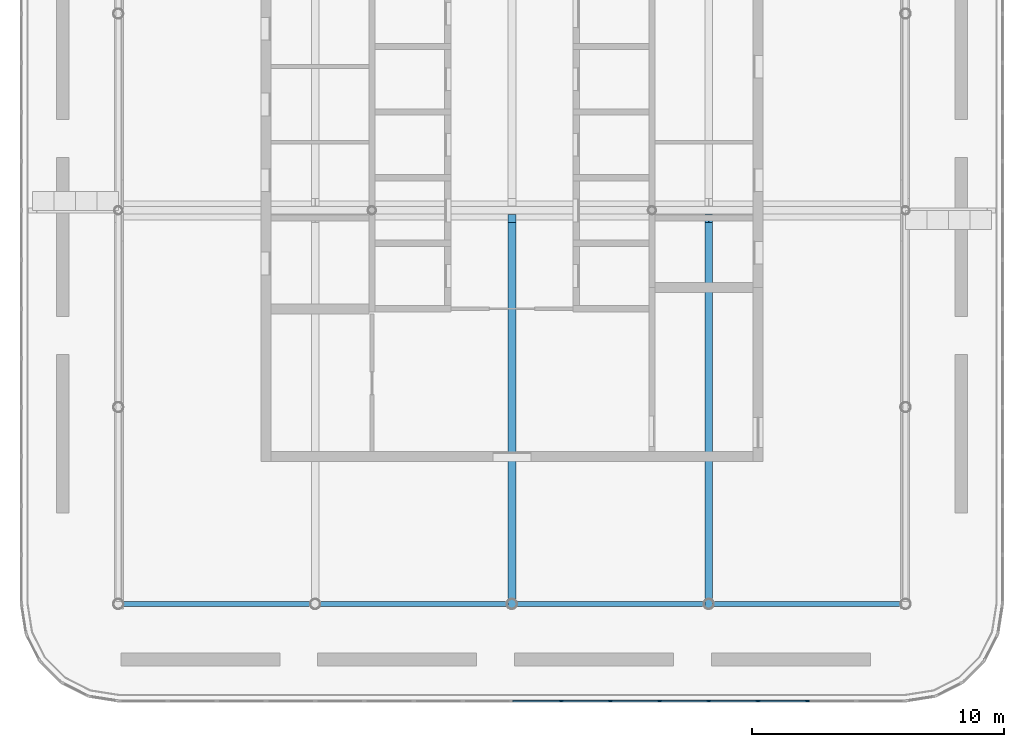
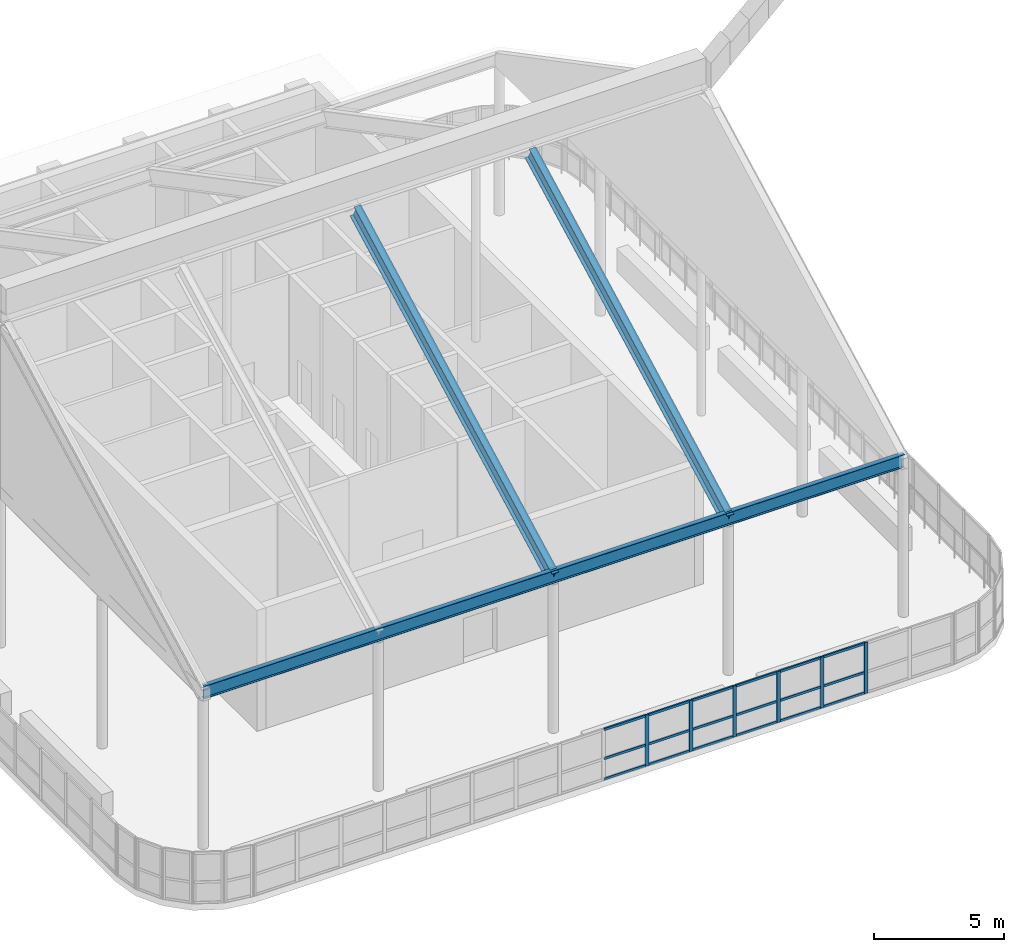
# One storey, part 6 of 19: 24 members, 3 beams, 1 element without a shape of its own.
"""IFC4 building model written with IfcOpenShell, lengths in metres."""

from ifc_helpers import new_model, si_unit, direction, frame, origin, origin_2d, place, context, subcontext, project, spatial, rectangle, i_section, extrude, material, material_profile, profile_set, type_object, element, aggregate, save


model = new_model("IFC4")

# Units and contexts
model_context = context("Model", 3, precision=1e-05, world=origin(), true_north=direction((0.0, 1.0)))
body_context = subcontext(model_context, "Body", "Model", "MODEL_VIEW")
ifc_project = project(units=[si_unit("LENGTHUNIT", "METRE"), si_unit("AREAUNIT", "SQUARE_METRE"), si_unit("VOLUMEUNIT", "CUBIC_METRE"), si_unit("PLANEANGLEUNIT", "RADIAN"), si_unit("MASSUNIT", "GRAM", prefix="KILO")], contexts=[model_context])

# Site, building, storey
site_placement = place(None, origin())
site = spatial("IfcSite", under=ifc_project, at=site_placement, CompositionType="ELEMENT")
building_placement = place(site_placement, origin())
building = spatial("IfcBuilding", under=site, at=building_placement, Name="Ludao Terraces", CompositionType="ELEMENT")
storey_placement = place(building_placement, frame((0.0, 0.0, 266.39990234375)))
storey = spatial("IfcBuildingStorey", under=building, at=storey_placement, Name="L73", CompositionType="ELEMENT", Elevation=266.39990234375)

# Beams
ifc_material_1 = material(Name="Steel Q355", Category="steel")
ifc_material_profile_1 = material_profile(ifc_material_1, i_section(OverallWidth=0.199951171875, OverallDepth=0.60009765625, WebThickness=0.010986328125, FlangeThickness=0.01708984375, at=origin_2d()), Name="HN 600X200X11X17")
ifc_profile_set_1 = profile_set([ifc_material_profile_1], Name="Steel Q355")
beam_type_1 = type_object("IfcBeamType", Name="Canopy eave beam HN 600x200x11x17 Q355", PredefinedType="BEAM", material=ifc_profile_set_1)
beam_placement = place(storey_placement, frame((69.39990234375, 49.39990234375, 7.29541015625), z_axis=(1.0, 0.0, 0.0), x_axis=(0.0, 1.0, 0.0)))
element("IfcBeam", 1, at=beam_placement, inside=storey, type_object=beam_type_1, Name="Canopy eave beam south", PredefinedType="BEAM", context=body_context, shape_type="SweptSolid", body=[
    extrude(i_section(OverallWidth=0.199951171875, OverallDepth=0.60009765625, WebThickness=0.010986328125, FlangeThickness=0.01708984375, at=origin_2d()), origin(), (0.0, 0.0, 1.0), 31.2001953125),
])
ifc_material_profile_2 = material_profile(ifc_material_1, i_section(OverallWidth=0.300048828125, OverallDepth=0.699951171875, WebThickness=0.012939453125, FlangeThickness=0.02392578125, at=origin_2d()), Name="HN 700X300X13X24")
ifc_profile_set_2 = profile_set([ifc_material_profile_2], Name="Steel Q355")
beam_type_2 = type_object("IfcBeamType", Name="Canopy rafter HN 700x300x13x24 Q355", PredefinedType="BEAM", material=ifc_profile_set_2)
for number, where, z_axis, x_axis, name in (
    (2, (85.0, 49.39990234375, 7.2001953125), (0.0, 0.885170238138, 0.465267288249), (-1.0, 0.0, 0.0), "Canopy rafter south 234"),
    (3, (92.800048828125, 49.39990234375, 7.2001953125), (0.0, 0.885170238138, 0.465267288249), (-1.0, 0.0, 0.0), "Canopy rafter south 312"),
):
    element("IfcBeam", number, at=place(storey_placement, frame(where, z_axis=z_axis, x_axis=x_axis)), inside=storey, type_object=beam_type_2, Name=name, PredefinedType="BEAM", context=body_context, shape_type="SweptSolid", body=[
        extrude(i_section(OverallWidth=0.300048828125, OverallDepth=0.699951171875, WebThickness=0.012939453125, FlangeThickness=0.02392578125, at=origin_2d()), origin(), (0.0, 0.0, 1.0), 17.2646484375),
    ])

# Curtain wall, members
ifc_material_2 = material(Name="Aluminium curtain wall with fritted glass", Category="aluminium")
curtain_wall_type = type_object("IfcCurtainWallType", Name="ENV CW6 crown screen glazing", PredefinedType="NOTDEFINED", material=ifc_material_2)
curtain_wall_placement = place(storey_placement, origin())
curtain_wall = element("IfcCurtainWall", 4, at=curtain_wall_placement, inside=storey, type_object=curtain_wall_type, Name="Deck windscreen S1", PredefinedType="NOTDEFINED")
ifc_material_3 = material(Name="Aluminium 6063-T6", Category="aluminium")
ifc_material_profile_3 = material_profile(ifc_material_3, rectangle(XDim=0.070068359375, YDim=0.159912109375, at=origin_2d()), Name="70 X 160")
ifc_profile_set_3 = profile_set([ifc_material_profile_3], Name="Aluminium 6063-T6")
member_type_1 = type_object("IfcMemberType", Name="ENV CW6 mullion 70x160", PredefinedType="MULLION", material=ifc_profile_set_3)
member_1_placement = place(storey_placement, frame((86.949951171875, 45.56005859375, 0.0), z_axis=(0.0, 0.0, 1.0), x_axis=(0.0, 1.0, 0.0)))
member_1 = element("IfcMember", 5, at=member_1_placement, type_object=member_type_1, Name="CW6 mullion 10", PredefinedType="MULLION", context=body_context, shape_type="SweptSolid", body=[
    extrude(rectangle(XDim=0.070068359375, YDim=0.159912109375, at=origin_2d()), origin(), (0.0, 0.0, 1.0), 2.400146484375),
])
member_2_placement = place(storey_placement, frame((88.89990234375, 45.56005859375, 0.0), z_axis=(0.0, 0.0, 1.0), x_axis=(0.0, 1.0, 0.0)))
member_2 = element("IfcMember", 6, at=member_2_placement, type_object=member_type_1, Name="CW6 mullion 11", PredefinedType="MULLION", context=body_context, shape_type="SweptSolid", body=[
    extrude(rectangle(XDim=0.070068359375, YDim=0.159912109375, at=origin_2d()), origin(), (0.0, 0.0, 1.0), 2.400146484375),
])
member_3_placement = place(storey_placement, frame((90.85009765625, 45.56005859375, 0.0), z_axis=(0.0, 0.0, 1.0), x_axis=(0.0, 1.0, 0.0)))
member_3 = element("IfcMember", 7, at=member_3_placement, type_object=member_type_1, Name="CW6 mullion 12", PredefinedType="MULLION", context=body_context, shape_type="SweptSolid", body=[
    extrude(rectangle(XDim=0.070068359375, YDim=0.159912109375, at=origin_2d()), origin(), (0.0, 0.0, 1.0), 2.400146484375),
])
member_4_placement = place(storey_placement, frame((92.800048828125, 45.56005859375, 0.0), z_axis=(0.0, 0.0, 1.0), x_axis=(0.0, 1.0, 0.0)))
member_4 = element("IfcMember", 8, at=member_4_placement, type_object=member_type_1, Name="CW6 mullion 13", PredefinedType="MULLION", context=body_context, shape_type="SweptSolid", body=[
    extrude(rectangle(XDim=0.070068359375, YDim=0.159912109375, at=origin_2d()), origin(), (0.0, 0.0, 1.0), 2.400146484375),
])
member_5_placement = place(storey_placement, frame((94.75, 45.56005859375, 0.0), z_axis=(0.0, 0.0, 1.0), x_axis=(0.0, 1.0, 0.0)))
member_5 = element("IfcMember", 9, at=member_5_placement, type_object=member_type_1, Name="CW6 mullion 14", PredefinedType="MULLION", context=body_context, shape_type="SweptSolid", body=[
    extrude(rectangle(XDim=0.070068359375, YDim=0.159912109375, at=origin_2d()), origin(), (0.0, 0.0, 1.0), 2.400146484375),
])
member_6_placement = place(storey_placement, frame((96.699951171875, 45.56005859375, 0.0), z_axis=(0.0, 0.0, 1.0), x_axis=(0.0, 1.0, 0.0)))
member_6 = element("IfcMember", 10, at=member_6_placement, type_object=member_type_1, Name="CW6 mullion 15", PredefinedType="MULLION", context=body_context, shape_type="SweptSolid", body=[
    extrude(rectangle(XDim=0.070068359375, YDim=0.159912109375, at=origin_2d()), origin(), (0.0, 0.0, 1.0), 2.400146484375),
])
ifc_material_profile_4 = material_profile(ifc_material_3, rectangle(XDim=0.070068359375, YDim=0.110107421875, at=origin_2d()), Name="70 X 110")
ifc_profile_set_4 = profile_set([ifc_material_profile_4], Name="Aluminium 6063-T6")
member_type_2 = type_object("IfcMemberType", Name="ENV CW6 transom 70x110", PredefinedType="USERDEFINED", material=ifc_profile_set_4)
member_7_placement = place(storey_placement, frame((85.034912109375, 45.56005859375, 0.03515625), z_axis=(1.0, 0.0, 0.0), x_axis=(0.0, 1.0, 0.0)))
member_7 = element("IfcMember", 11, at=member_7_placement, type_object=member_type_2, Name="CW6 transom 9.1", ObjectType="TRANSOM", PredefinedType="USERDEFINED", context=body_context, shape_type="SweptSolid", body=[
    extrude(rectangle(XDim=0.070068359375, YDim=0.110107421875, at=origin_2d()), origin(), (0.0, 0.0, 1.0), 1.880126953125),
])
member_8_placement = place(storey_placement, frame((85.034912109375, 45.56005859375, 1.0), z_axis=(1.0, 0.0, 0.0), x_axis=(0.0, 1.0, 0.0)))
member_8 = element("IfcMember", 12, at=member_8_placement, type_object=member_type_2, Name="CW6 transom 9.2", ObjectType="TRANSOM", PredefinedType="USERDEFINED", context=body_context, shape_type="SweptSolid", body=[
    extrude(rectangle(XDim=0.070068359375, YDim=0.110107421875, at=origin_2d()), origin(), (0.0, 0.0, 1.0), 1.880126953125),
])
member_9_placement = place(storey_placement, frame((85.034912109375, 45.56005859375, 2.364990234375), z_axis=(1.0, 0.0, 0.0), x_axis=(0.0, 1.0, 0.0)))
member_9 = element("IfcMember", 13, at=member_9_placement, type_object=member_type_2, Name="CW6 transom 9.3", ObjectType="TRANSOM", PredefinedType="USERDEFINED", context=body_context, shape_type="SweptSolid", body=[
    extrude(rectangle(XDim=0.070068359375, YDim=0.110107421875, at=origin_2d()), origin(), (0.0, 0.0, 1.0), 1.880126953125),
])
member_10_placement = place(storey_placement, frame((86.985107421875, 45.56005859375, 0.03515625), z_axis=(1.0, 0.0, 0.0), x_axis=(0.0, 1.0, 0.0)))
member_10 = element("IfcMember", 14, at=member_10_placement, type_object=member_type_2, Name="CW6 transom 10.1", ObjectType="TRANSOM", PredefinedType="USERDEFINED", context=body_context, shape_type="SweptSolid", body=[
    extrude(rectangle(XDim=0.070068359375, YDim=0.110107421875, at=origin_2d()), origin(), (0.0, 0.0, 1.0), 1.8798828125),
])
member_11_placement = place(storey_placement, frame((86.985107421875, 45.56005859375, 1.0), z_axis=(1.0, 0.0, 0.0), x_axis=(0.0, 1.0, 0.0)))
member_11 = element("IfcMember", 15, at=member_11_placement, type_object=member_type_2, Name="CW6 transom 10.2", ObjectType="TRANSOM", PredefinedType="USERDEFINED", context=body_context, shape_type="SweptSolid", body=[
    extrude(rectangle(XDim=0.070068359375, YDim=0.110107421875, at=origin_2d()), origin(), (0.0, 0.0, 1.0), 1.8798828125),
])
member_12_placement = place(storey_placement, frame((86.985107421875, 45.56005859375, 2.364990234375), z_axis=(1.0, 0.0, 0.0), x_axis=(0.0, 1.0, 0.0)))
member_12 = element("IfcMember", 16, at=member_12_placement, type_object=member_type_2, Name="CW6 transom 10.3", ObjectType="TRANSOM", PredefinedType="USERDEFINED", context=body_context, shape_type="SweptSolid", body=[
    extrude(rectangle(XDim=0.070068359375, YDim=0.110107421875, at=origin_2d()), origin(), (0.0, 0.0, 1.0), 1.8798828125),
])
member_13_placement = place(storey_placement, frame((88.93505859375, 45.56005859375, 0.03515625), z_axis=(1.0, 0.0, 0.0), x_axis=(0.0, 1.0, 0.0)))
member_13 = element("IfcMember", 17, at=member_13_placement, type_object=member_type_2, Name="CW6 transom 11.1", ObjectType="TRANSOM", PredefinedType="USERDEFINED", context=body_context, shape_type="SweptSolid", body=[
    extrude(rectangle(XDim=0.070068359375, YDim=0.110107421875, at=origin_2d()), origin(), (0.0, 0.0, 1.0), 1.8798828125),
])
member_14_placement = place(storey_placement, frame((88.93505859375, 45.56005859375, 1.0), z_axis=(1.0, 0.0, 0.0), x_axis=(0.0, 1.0, 0.0)))
member_14 = element("IfcMember", 18, at=member_14_placement, type_object=member_type_2, Name="CW6 transom 11.2", ObjectType="TRANSOM", PredefinedType="USERDEFINED", context=body_context, shape_type="SweptSolid", body=[
    extrude(rectangle(XDim=0.070068359375, YDim=0.110107421875, at=origin_2d()), origin(), (0.0, 0.0, 1.0), 1.8798828125),
])
member_15_placement = place(storey_placement, frame((88.93505859375, 45.56005859375, 2.364990234375), z_axis=(1.0, 0.0, 0.0), x_axis=(0.0, 1.0, 0.0)))
member_15 = element("IfcMember", 19, at=member_15_placement, type_object=member_type_2, Name="CW6 transom 11.3", ObjectType="TRANSOM", PredefinedType="USERDEFINED", context=body_context, shape_type="SweptSolid", body=[
    extrude(rectangle(XDim=0.070068359375, YDim=0.110107421875, at=origin_2d()), origin(), (0.0, 0.0, 1.0), 1.8798828125),
])
member_16_placement = place(storey_placement, frame((90.885009765625, 45.56005859375, 0.03515625), z_axis=(1.0, 0.0, 0.0), x_axis=(0.0, 1.0, 0.0)))
member_16 = element("IfcMember", 20, at=member_16_placement, type_object=member_type_2, Name="CW6 transom 12.1", ObjectType="TRANSOM", PredefinedType="USERDEFINED", context=body_context, shape_type="SweptSolid", body=[
    extrude(rectangle(XDim=0.070068359375, YDim=0.110107421875, at=origin_2d()), origin(), (0.0, 0.0, 1.0), 1.8798828125),
])
member_17_placement = place(storey_placement, frame((90.885009765625, 45.56005859375, 1.0), z_axis=(1.0, 0.0, 0.0), x_axis=(0.0, 1.0, 0.0)))
member_17 = element("IfcMember", 21, at=member_17_placement, type_object=member_type_2, Name="CW6 transom 12.2", ObjectType="TRANSOM", PredefinedType="USERDEFINED", context=body_context, shape_type="SweptSolid", body=[
    extrude(rectangle(XDim=0.070068359375, YDim=0.110107421875, at=origin_2d()), origin(), (0.0, 0.0, 1.0), 1.8798828125),
])
member_18_placement = place(storey_placement, frame((90.885009765625, 45.56005859375, 2.364990234375), z_axis=(1.0, 0.0, 0.0), x_axis=(0.0, 1.0, 0.0)))
member_18 = element("IfcMember", 22, at=member_18_placement, type_object=member_type_2, Name="CW6 transom 12.3", ObjectType="TRANSOM", PredefinedType="USERDEFINED", context=body_context, shape_type="SweptSolid", body=[
    extrude(rectangle(XDim=0.070068359375, YDim=0.110107421875, at=origin_2d()), origin(), (0.0, 0.0, 1.0), 1.8798828125),
])
member_19_placement = place(storey_placement, frame((92.8349609375, 45.56005859375, 0.03515625), z_axis=(1.0, 0.0, 0.0), x_axis=(0.0, 1.0, 0.0)))
member_19 = element("IfcMember", 23, at=member_19_placement, type_object=member_type_2, Name="CW6 transom 13.1", ObjectType="TRANSOM", PredefinedType="USERDEFINED", context=body_context, shape_type="SweptSolid", body=[
    extrude(rectangle(XDim=0.070068359375, YDim=0.110107421875, at=origin_2d()), origin(), (0.0, 0.0, 1.0), 1.880126953125),
])
member_20_placement = place(storey_placement, frame((92.8349609375, 45.56005859375, 1.0), z_axis=(1.0, 0.0, 0.0), x_axis=(0.0, 1.0, 0.0)))
member_20 = element("IfcMember", 24, at=member_20_placement, type_object=member_type_2, Name="CW6 transom 13.2", ObjectType="TRANSOM", PredefinedType="USERDEFINED", context=body_context, shape_type="SweptSolid", body=[
    extrude(rectangle(XDim=0.070068359375, YDim=0.110107421875, at=origin_2d()), origin(), (0.0, 0.0, 1.0), 1.880126953125),
])
member_21_placement = place(storey_placement, frame((92.8349609375, 45.56005859375, 2.364990234375), z_axis=(1.0, 0.0, 0.0), x_axis=(0.0, 1.0, 0.0)))
member_21 = element("IfcMember", 25, at=member_21_placement, type_object=member_type_2, Name="CW6 transom 13.3", ObjectType="TRANSOM", PredefinedType="USERDEFINED", context=body_context, shape_type="SweptSolid", body=[
    extrude(rectangle(XDim=0.070068359375, YDim=0.110107421875, at=origin_2d()), origin(), (0.0, 0.0, 1.0), 1.880126953125),
])
member_22_placement = place(storey_placement, frame((94.784912109375, 45.56005859375, 0.03515625), z_axis=(1.0, 0.0, 0.0), x_axis=(0.0, 1.0, 0.0)))
member_22 = element("IfcMember", 26, at=member_22_placement, type_object=member_type_2, Name="CW6 transom 14.1", ObjectType="TRANSOM", PredefinedType="USERDEFINED", context=body_context, shape_type="SweptSolid", body=[
    extrude(rectangle(XDim=0.070068359375, YDim=0.110107421875, at=origin_2d()), origin(), (0.0, 0.0, 1.0), 1.880126953125),
])
member_23_placement = place(storey_placement, frame((94.784912109375, 45.56005859375, 1.0), z_axis=(1.0, 0.0, 0.0), x_axis=(0.0, 1.0, 0.0)))
member_23 = element("IfcMember", 27, at=member_23_placement, type_object=member_type_2, Name="CW6 transom 14.2", ObjectType="TRANSOM", PredefinedType="USERDEFINED", context=body_context, shape_type="SweptSolid", body=[
    extrude(rectangle(XDim=0.070068359375, YDim=0.110107421875, at=origin_2d()), origin(), (0.0, 0.0, 1.0), 1.880126953125),
])
member_24_placement = place(storey_placement, frame((94.784912109375, 45.56005859375, 2.364990234375), z_axis=(1.0, 0.0, 0.0), x_axis=(0.0, 1.0, 0.0)))
member_24 = element("IfcMember", 28, at=member_24_placement, type_object=member_type_2, Name="CW6 transom 14.3", ObjectType="TRANSOM", PredefinedType="USERDEFINED", context=body_context, shape_type="SweptSolid", body=[
    extrude(rectangle(XDim=0.070068359375, YDim=0.110107421875, at=origin_2d()), origin(), (0.0, 0.0, 1.0), 1.880126953125),
])
aggregate(curtain_wall, [member_1, member_2, member_3, member_4, member_5, member_6, member_7, member_8, member_9, member_10, member_11, member_12, member_13, member_14, member_15, member_16, member_17, member_18, member_19, member_20, member_21, member_22, member_23, member_24])

save(model, "model.ifc")
